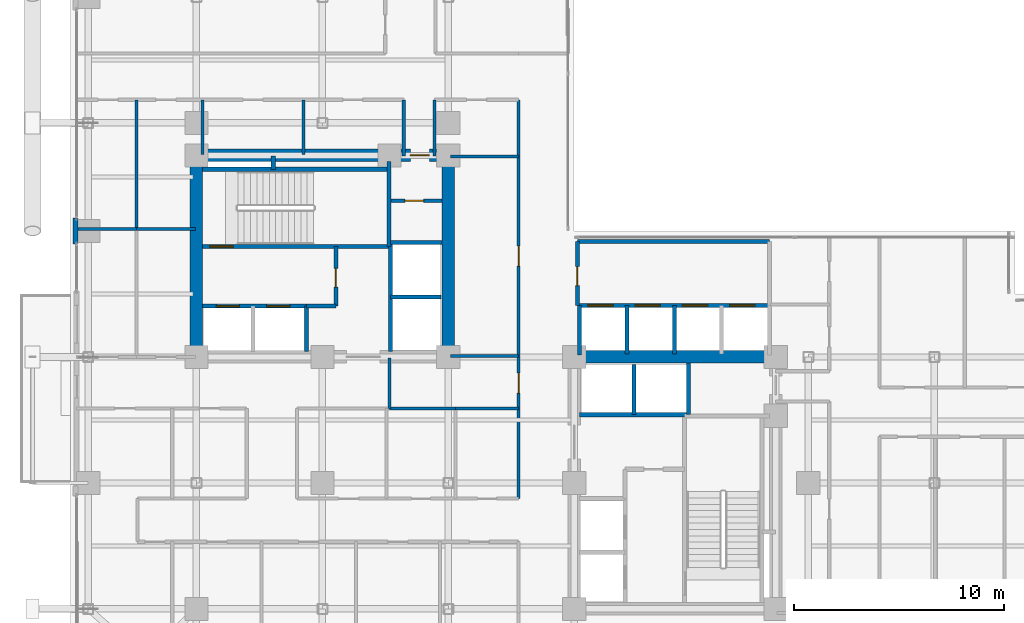
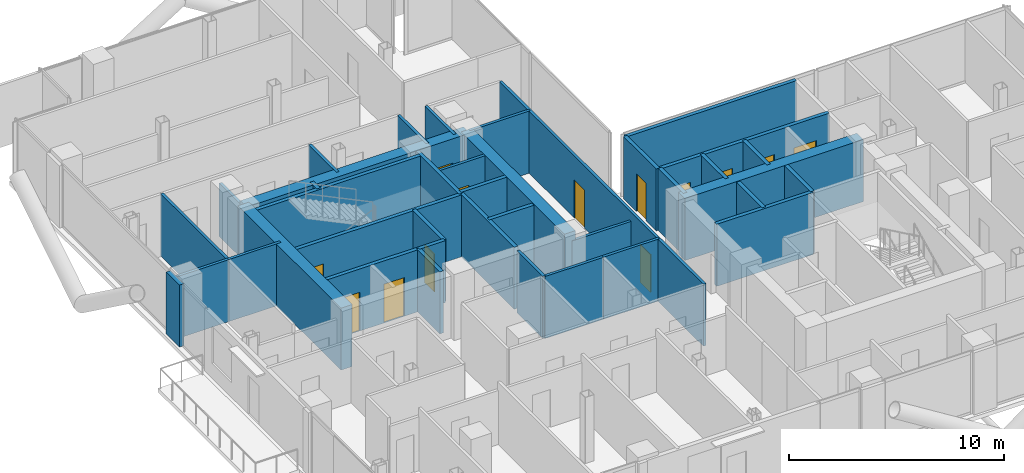
# One storey, part 20 of 24: 39 walls, 13 doors, 13 openings.
"""IFC4 building model written with IfcOpenShell, lengths in metres."""

from ifc_helpers import new_model, si_unit, direction, frame, frame_2d, origin, place, context, subcontext, project, spatial, rectangle, extrude, material, layer, layer_set, type_object, element, fill, save


model = new_model("IFC4")

# Units and contexts
model_context = context("Model", 3, precision=1e-05, world=origin(), true_north=direction((0.0, 1.0)))
body_context = subcontext(model_context, "Body", "Model", "MODEL_VIEW")
ifc_project = project(units=[si_unit("LENGTHUNIT", "METRE"), si_unit("AREAUNIT", "SQUARE_METRE"), si_unit("VOLUMEUNIT", "CUBIC_METRE"), si_unit("PLANEANGLEUNIT", "RADIAN"), si_unit("MASSUNIT", "GRAM", prefix="KILO"), si_unit("THERMODYNAMICTEMPERATUREUNIT", "KELVIN"), si_unit("POWERUNIT", "WATT")], contexts=[model_context])

# Site, building, storey
site_placement = place(None, origin())
site = spatial("IfcSite", under=ifc_project, at=site_placement, CompositionType="ELEMENT")
building_placement = place(site_placement, origin())
building = spatial("IfcBuilding", under=site, at=building_placement, Name="Svarakhadi Broadcast Tower", CompositionType="ELEMENT")
storey_placement = place(building_placement, frame((0.0, 0.0, 156.89990234375)))
storey = spatial("IfcBuildingStorey", under=building, at=storey_placement, Name="L38", CompositionType="ELEMENT", Elevation=156.89990234375)

# Walls
ifc_material_1 = material(Name="Concrete C40/50 (IS 456 M50)", Category="concrete")
ifc_layer_1 = layer(ifc_material_1, 0.239990234375)
ifc_layer_set_1 = layer_set([ifc_layer_1], Name="Concrete C40/50 (IS 456 M50)")
wall_type_1 = type_object("IfcWallType", Name="Wall_Ext_240", PredefinedType="SOLIDWALL", material=ifc_layer_set_1)
wall_1_placement = place(storey_placement, frame((0.239990234375, 23.385009765625, 0.0), z_axis=(0.0, 0.0, 1.0), x_axis=(0.0, 1.0, 0.0)))
element("IfcWall", 1, at=wall_1_placement, inside=storey, type_object=wall_type_1, Name="L38 Perimeter Bronze Spandrel Closure Wall 02", PredefinedType="SOLIDWALL", context=body_context, shape_type="SweptSolid", body=[
    extrude(rectangle(XDim=1.22998046875, YDim=0.239990234375, at=frame_2d((0.614990234375, 0.0))), origin(), (0.0, 0.0, 1.0), 3.525146484375),
])
ifc_layer_2 = layer(ifc_material_1, 0.199951171875)
ifc_layer_set_2 = layer_set([ifc_layer_2], Name="Concrete C40/50 (IS 456 M50)")
wall_type_2 = type_object("IfcWallType", Name="Wall_Fire_200", PredefinedType="SOLIDWALL", material=ifc_layer_set_2)
wall_2_placement = place(storey_placement, frame((9.659912109375, 26.93994140625, 0.0), z_axis=(0.0, 0.0, 1.0), x_axis=(0.0, 1.0, 0.0)))
element("IfcWall", 2, at=wall_2_placement, inside=storey, type_object=wall_type_2, Name="L38 Wet Riser Shaft East Wall", PredefinedType="SOLIDWALL", context=body_context, shape_type="SweptSolid", body=[
    extrude(rectangle(XDim=0.64013671875, YDim=0.199951171875, at=frame_2d((0.320068359375, 0.0))), origin(), (0.0, 0.0, 1.0), 3.525146484375),
])

# Wall, opening, door
ifc_material_2 = material(Name="Autoclaved Aerated Concrete Blockwork 150 mm", Category="masonry")
ifc_layer_3 = layer(ifc_material_2, 0.14990234375)
ifc_layer_set_3 = layer_set([ifc_layer_3], Name="Autoclaved Aerated Concrete Blockwork 150 mm")
wall_type_3 = type_object("IfcWallType", Name="Wall_Part_150", PredefinedType="PARTITIONING", material=ifc_layer_set_3)
wall_3_placement = place(storey_placement, frame((15.280029296875, 25.43994140625, 0.0), z_axis=(0.0, 0.0, 1.0), x_axis=(1.0, 0.0, 0.0)))
wall_3 = element("IfcWall", 3, at=wall_3_placement, inside=storey, type_object=wall_type_3, Name="L38 West Core Service Split Wall", PredefinedType="PARTITIONING", context=body_context, shape_type="SweptSolid", body=[
    extrude(rectangle(XDim=2.419921875, YDim=0.14990234375, at=frame_2d((1.2099609375, 0.0))), origin(), (0.0, 0.0, 1.0), 3.525146484375),
])
opening_1_placement = place(wall_3_placement, frame((0.64990234375, 0.0, 0.0)))
opening_1 = element("IfcOpeningElement", 4, at=opening_1_placement, cuts=wall_3, Name="Opening D-04", PredefinedType="OPENING", context=body_context, shape_type="SweptSolid", body=[
    extrude(rectangle(XDim=0.89990234375, YDim=2.14990234375, at=frame_2d((0.449951171875, 1.074951171875))), frame((0.0, 0.0849609375, 0.0), z_axis=(0.0, -1.0, 0.0), x_axis=(1.0, 0.0, 0.0)), (0.0, 0.0, 1.0), 0.169921875),
])
ifc_material_3 = material(Name="Galvanised Powder-Coated Fire-Rated Steel Leaf", Category="steel")
door_type_1 = type_object("IfcDoorType", Name="Door_Fire_D04", OperationType="SINGLE_SWING_RIGHT", PredefinedType="DOOR", material=ifc_material_3)
door_1_placement = place(opening_1_placement, origin())
door_1 = element("IfcDoor", 5, at=door_1_placement, inside=storey, type_object=door_type_1, Name="L38 West Core Inner Store Door", OperationType="SINGLE_SWING_RIGHT", OverallHeight=2.14990234375, OverallWidth=0.89990234375, PredefinedType="DOOR", context=body_context, shape_type="SweptSolid", body=[
    extrude(rectangle(XDim=0.89990234375, YDim=2.14990234375, at=frame_2d((0.449951171875, 1.074951171875))), frame((0.0, 0.02490234375, 0.0), z_axis=(0.0, -1.0, 0.0), x_axis=(1.0, 0.0, 0.0)), (0.0, 0.0, 1.0), 0.050048828125),
])
fill(opening_1, door_1)

# Wall
wall_4_placement = place(storey_placement, frame((15.199951171875, 17.949951171875, 0.0), z_axis=(0.0, 0.0, 1.0), x_axis=(0.0, -1.0, 0.0)))
element("IfcWall", 6, at=wall_4_placement, inside=storey, type_object=wall_type_3, Name="L38 Zone 2/3 Corridor Wall", PredefinedType="PARTITIONING", context=body_context, shape_type="SweptSolid", body=[
    extrude(rectangle(XDim=2.39990234375, YDim=0.14990234375, at=frame_2d((1.199951171875, 0.0))), origin(), (0.0, 0.0, 1.0), 3.525146484375),
])

# Wall, openings, doors
wall_5_placement = place(storey_placement, frame((21.35009765625, 11.25, 0.0), z_axis=(0.0, 0.0, 1.0), x_axis=(0.0, 1.0, 0.0)))
wall_5 = element("IfcWall", 7, at=wall_5_placement, inside=storey, type_object=wall_type_3, Name="L38 Zone 2/3 Corridor Wall", PredefinedType="PARTITIONING", context=body_context, shape_type="SweptSolid", body=[
    extrude(rectangle(XDim=19.0, YDim=0.14990234375, at=frame_2d((9.5, 0.0))), origin(), (0.0, 0.0, 1.0), 3.525146484375),
])
opening_2_placement = place(wall_5_placement, frame((11.074951171875, 0.0, 0.0)))
opening_2 = element("IfcOpeningElement", 8, at=opening_2_placement, cuts=wall_5, Name="Opening D-06", PredefinedType="OPENING", context=body_context, shape_type="SweptSolid", body=[
    extrude(rectangle(XDim=0.949951171875, YDim=2.14990234375, at=frame_2d((0.47509765625, 1.074951171875))), frame((0.0, 0.0849609375, 0.0), z_axis=(0.0, -1.0, 0.0), x_axis=(1.0, 0.0, 0.0)), (0.0, 0.0, 1.0), 0.169921875),
])
opening_3_placement = place(wall_5_placement, frame((5.02490234375, 0.0, 0.0)))
opening_3 = element("IfcOpeningElement", 9, at=opening_3_placement, cuts=wall_5, Name="Opening D-07", PredefinedType="OPENING", context=body_context, shape_type="SweptSolid", body=[
    extrude(rectangle(XDim=0.949951171875, YDim=2.14990234375, at=frame_2d((0.47509765625, 1.074951171875))), frame((0.0, 0.0849609375, 0.0), z_axis=(0.0, -1.0, 0.0), x_axis=(1.0, 0.0, 0.0)), (0.0, 0.0, 1.0), 0.169921875),
])
ifc_material_4 = material(Name="Solid-Core Teak Veneer Acoustic Timber Leaf", Category="wood")
door_type_2 = type_object("IfcDoorType", Name="Door_Office_D06", OperationType="SINGLE_SWING_LEFT", PredefinedType="DOOR", material=ifc_material_4)
door_2_placement = place(opening_2_placement, origin())
door_2 = element("IfcDoor", 10, at=door_2_placement, inside=storey, type_object=door_type_2, Name="L38 Broadcast Editorial Review Office Door", OperationType="SINGLE_SWING_LEFT", OverallHeight=2.14990234375, OverallWidth=0.949951171875, PredefinedType="DOOR", context=body_context, shape_type="SweptSolid", body=[
    extrude(rectangle(XDim=0.949951171875, YDim=2.14990234375, at=frame_2d((0.47509765625, 1.074951171875))), frame((0.0, 0.02490234375, 0.0), z_axis=(0.0, -1.0, 0.0), x_axis=(1.0, 0.0, 0.0)), (0.0, 0.0, 1.0), 0.050048828125),
])
fill(opening_2, door_2)
door_type_3 = type_object("IfcDoorType", Name="Door_Office_D07", OperationType="SINGLE_SWING_RIGHT", PredefinedType="DOOR", material=ifc_material_4)
door_3_placement = place(opening_3_placement, origin())
door_3 = element("IfcDoor", 11, at=door_3_placement, inside=storey, type_object=door_type_3, Name="L38 Executive Review Pod Door", OperationType="SINGLE_SWING_RIGHT", OverallHeight=2.14990234375, OverallWidth=0.949951171875, PredefinedType="DOOR", context=body_context, shape_type="SweptSolid", body=[
    extrude(rectangle(XDim=0.949951171875, YDim=2.14990234375, at=frame_2d((0.47509765625, 1.074951171875))), frame((0.0, 0.02490234375, 0.0), z_axis=(0.0, -1.0, 0.0), x_axis=(1.0, 0.0, 0.0)), (0.0, 0.0, 1.0), 0.050048828125),
])
fill(opening_3, door_3)

# Walls
for number, where, z_axis, x_axis, name in (
    (12, (17.35009765625, 30.25, 0.0), (0.0, 0.0, 1.0), (0.0, -1.0, 0.0), "L38 Zone 2/3 Corridor Wall"),
    (13, (15.8798828125, 27.580078125, 0.0), (0.0, 0.0, 1.0), (0.0, 1.0, 0.0), "L38 Zone 2/3 Corridor Wall"),
):
    element("IfcWall", number, at=place(storey_placement, frame(where, z_axis=z_axis, x_axis=x_axis)), inside=storey, type_object=wall_type_3, Name=name, PredefinedType="PARTITIONING", context=body_context, shape_type="SweptSolid", body=[
        extrude(rectangle(XDim=2.669921875, YDim=0.14990234375, at=frame_2d((1.3349609375, 0.0))), origin(), (0.0, 0.0, 1.0), 3.525146484375),
    ])
wall_6_placement = place(storey_placement, frame((15.199951171875, 15.550048828125, 0.0), z_axis=(0.0, 0.0, 1.0), x_axis=(1.0, 0.0, 0.0)))
element("IfcWall", 14, at=wall_6_placement, inside=storey, type_object=wall_type_3, Name="L38 Editorial Review Booth Wall", PredefinedType="PARTITIONING", context=body_context, shape_type="SweptSolid", body=[
    extrude(rectangle(XDim=3.150146484375, YDim=0.14990234375, at=frame_2d((1.5751953125, 0.0))), origin(), (0.0, 0.0, 1.0), 3.525146484375),
])
wall_7_placement = place(storey_placement, frame((18.35009765625, 15.550048828125, 0.0), z_axis=(0.0, 0.0, 1.0), x_axis=(1.0, 0.0, 0.0)))
element("IfcWall", 15, at=wall_7_placement, inside=storey, type_object=wall_type_3, Name="L38 Accessible Floor Washroom WC Wall", PredefinedType="PARTITIONING", context=body_context, shape_type="SweptSolid", body=[
    extrude(rectangle(XDim=3.0, YDim=0.14990234375, at=frame_2d((1.5, 0.0))), origin(), (0.0, 0.0, 1.0), 3.525146484375),
])
wall_8_placement = place(storey_placement, frame((18.10009765625, 18.050048828125, 0.0), z_axis=(0.0, 0.0, 1.0), x_axis=(1.0, 0.0, 0.0)))
element("IfcWall", 16, at=wall_8_placement, inside=storey, type_object=wall_type_3, Name="L38 Broadcast Editorial Review Office Wall", PredefinedType="PARTITIONING", context=body_context, shape_type="SweptSolid", body=[
    extrude(rectangle(XDim=3.25, YDim=0.14990234375, at=frame_2d((1.625, 0.0))), origin(), (0.0, 0.0, 1.0), 3.01708984375),
])
wall_9_placement = place(storey_placement, frame((18.10009765625, 27.550048828125, 0.0), z_axis=(0.0, 0.0, 1.0), x_axis=(1.0, 0.0, 0.0)))
element("IfcWall", 17, at=wall_9_placement, inside=storey, type_object=wall_type_3, Name="L38 Broadcast Editorial Review Office Wall", PredefinedType="PARTITIONING", context=body_context, shape_type="SweptSolid", body=[
    extrude(rectangle(XDim=3.25, YDim=0.14990234375, at=frame_2d((1.625, 0.0))), origin(), (0.0, 0.0, 1.0), 3.525146484375),
])
wall_10_placement = place(storey_placement, frame((0.300048828125, 24.10009765625, 0.0), z_axis=(0.0, 0.0, 1.0), x_axis=(1.0, 0.0, 0.0)))
element("IfcWall", 18, at=wall_10_placement, inside=storey, type_object=wall_type_3, Name="L38 Arabian Sea Executive Studio Wall", PredefinedType="PARTITIONING", context=body_context, shape_type="SweptSolid", body=[
    extrude(rectangle(XDim=2.849853515625, YDim=0.14990234375, at=frame_2d((1.4248046875, 0.0))), origin(), (0.0, 0.0, 1.0), 3.525146484375),
])
wall_11_placement = place(storey_placement, frame((3.14990234375, 24.10009765625, 0.0), z_axis=(0.0, 0.0, 1.0), x_axis=(1.0, 0.0, 0.0)))
element("IfcWall", 19, at=wall_11_placement, inside=storey, type_object=wall_type_3, Name="L38 Arabian Sea Executive Studio Wall", PredefinedType="PARTITIONING", context=body_context, shape_type="SweptSolid", body=[
    extrude(rectangle(XDim=2.800048828125, YDim=0.14990234375, at=frame_2d((1.39990234375, 0.0))), origin(), (0.0, 0.0, 1.0), 3.525146484375),
])
wall_12_placement = place(storey_placement, frame((3.14990234375, 24.10009765625, 0.0), z_axis=(0.0, 0.0, 1.0), x_axis=(0.0, 1.0, 0.0)))
element("IfcWall", 20, at=wall_12_placement, inside=storey, type_object=wall_type_3, Name="L38 Sunset Horizon Screening Room Wall", PredefinedType="PARTITIONING", context=body_context, shape_type="SweptSolid", body=[
    extrude(rectangle(XDim=6.14990234375, YDim=0.14990234375, at=frame_2d((3.074951171875, 0.0))), origin(), (0.0, 0.0, 1.0), 3.525146484375),
])
wall_13_placement = place(storey_placement, frame((6.300048828125, 27.64990234375, 0.0), z_axis=(0.0, 0.0, 1.0), x_axis=(0.0, 1.0, 0.0)))
element("IfcWall", 21, at=wall_13_placement, inside=storey, type_object=wall_type_3, Name="L38 Acoustic Dubbing Booth Wall", PredefinedType="PARTITIONING", context=body_context, shape_type="SweptSolid", body=[
    extrude(rectangle(XDim=2.60009765625, YDim=0.14990234375, at=frame_2d((1.300048828125, 0.0))), origin(), (0.0, 0.0, 1.0), 3.01708984375),
])
wall_14_placement = place(storey_placement, frame((11.10009765625, 27.64990234375, 0.0), z_axis=(0.0, 0.0, 1.0), x_axis=(0.0, 1.0, 0.0)))
element("IfcWall", 22, at=wall_14_placement, inside=storey, type_object=wall_type_3, Name="L38 Acoustic Dubbing Booth Wall", PredefinedType="PARTITIONING", context=body_context, shape_type="SweptSolid", body=[
    extrude(rectangle(XDim=2.60009765625, YDim=0.14990234375, at=frame_2d((1.300048828125, 0.0))), origin(), (0.0, 0.0, 1.0), 3.525146484375),
])

# Wall, opening, door
ifc_material_5 = material(Name="Concrete C50/60 (IS 456 M60)", Category="concrete")
ifc_layer_4 = layer(ifc_material_5, 0.199951171875)
ifc_layer_set_4 = layer_set([ifc_layer_4], Name="Concrete C50/60 (IS 456 M60)")
wall_type_4 = type_object("IfcWallType", Name="Wall_Shear_200", PredefinedType="SHEAR", material=ifc_layer_set_4)
wall_15_placement = place(storey_placement, frame((6.300048828125, 23.260009765625, 0.0), z_axis=(0.0, 0.0, 1.0), x_axis=(1.0, 0.0, 0.0)))
wall_15 = element("IfcWall", 23, at=wall_15_placement, inside=storey, type_object=wall_type_4, Name="L38 Stair ST-01 South RC Shaft Wall", PredefinedType="SHEAR", context=body_context, shape_type="SweptSolid", body=[
    extrude(rectangle(XDim=8.8798828125, YDim=0.199951171875, at=frame_2d((4.43994140625, 0.0))), origin(), (0.0, 0.0, 1.0), 3.525146484375),
])
opening_4_placement = place(wall_15_placement, frame((0.35009765625, 0.0, 0.0)))
opening_4 = element("IfcOpeningElement", 24, at=opening_4_placement, cuts=wall_15, Name="Opening D-01", PredefinedType="OPENING", context=body_context, shape_type="SweptSolid", body=[
    extrude(rectangle(XDim=1.10009765625, YDim=2.199951171875, at=frame_2d((0.550048828125, 1.10009765625))), frame((0.0, 0.10986328125, 0.0), z_axis=(0.0, -1.0, 0.0), x_axis=(1.0, 0.0, 0.0)), (0.0, 0.0, 1.0), 0.219970703125),
])
door_type_4 = type_object("IfcDoorType", Name="Door_Stair_D01", OperationType="SINGLE_SWING_LEFT", PredefinedType="DOOR", material=ifc_material_3)
door_4_placement = place(opening_4_placement, origin())
door_4 = element("IfcDoor", 25, at=door_4_placement, inside=storey, type_object=door_type_4, Name="L38 Protected Exit Stair ST-01 Fire Door", OperationType="SINGLE_SWING_LEFT", OverallHeight=2.199951171875, OverallWidth=1.10009765625, PredefinedType="DOOR", context=body_context, shape_type="SweptSolid", body=[
    extrude(rectangle(XDim=1.10009765625, YDim=2.199951171875, at=frame_2d((0.550048828125, 1.10009765625))), frame((0.0, 0.02490234375, 0.0), z_axis=(0.0, -1.0, 0.0), x_axis=(1.0, 0.0, 0.0)), (0.0, 0.0, 1.0), 0.050048828125),
])
fill(opening_4, door_4)

# Walls
wall_16_placement = place(storey_placement, frame((6.300048828125, 26.93994140625, 0.0), z_axis=(0.0, 0.0, 1.0), x_axis=(1.0, 0.0, 0.0)))
element("IfcWall", 26, at=wall_16_placement, inside=storey, type_object=wall_type_4, Name="L38 Stair ST-01 North RC Shaft Wall", PredefinedType="SHEAR", context=body_context, shape_type="SweptSolid", body=[
    extrude(rectangle(XDim=8.8798828125, YDim=0.199951171875, at=frame_2d((4.43994140625, 0.0))), origin(), (0.0, 0.0, 1.0), 3.525146484375),
])
wall_17_placement = place(storey_placement, frame((15.179931640625, 23.260009765625, 0.0), z_axis=(0.0, 0.0, 1.0), x_axis=(0.0, 1.0, 0.0)))
element("IfcWall", 27, at=wall_17_placement, inside=storey, type_object=wall_type_4, Name="L38 Stair ST-01 East RC Shaft Wall", PredefinedType="SHEAR", context=body_context, shape_type="SweptSolid", body=[
    extrude(rectangle(XDim=4.0400390625, YDim=0.199951171875, at=frame_2d((2.02001953125, 0.0))), origin(), (0.0, 0.0, 1.0), 3.525146484375),
])

# Wall, openings, doors
wall_18_placement = place(storey_placement, frame((6.300048828125, 20.419921875, 0.0), z_axis=(0.0, 0.0, 1.0), x_axis=(1.0, 0.0, 0.0)))
wall_18 = element("IfcWall", 28, at=wall_18_placement, inside=storey, type_object=wall_type_4, Name="L38 Firefighting Lift LF-01/02 Shaft Wall", PredefinedType="SHEAR", context=body_context, shape_type="SweptSolid", body=[
    extrude(rectangle(XDim=4.949951171875, YDim=0.199951171875, at=frame_2d((2.47509765625, 0.0))), origin(), (0.0, 0.0, 1.0), 3.525146484375),
])
opening_5_placement = place(wall_18_placement, frame((0.64990234375, 0.0, 0.0)))
opening_5 = element("IfcOpeningElement", 29, at=opening_5_placement, cuts=wall_18, Name="Opening LD-01", PredefinedType="OPENING", context=body_context, shape_type="SweptSolid", body=[
    extrude(rectangle(XDim=1.10009765625, YDim=2.199951171875, at=frame_2d((0.550048828125, 1.10009765625))), frame((0.0, 0.10986328125, 0.0), z_axis=(0.0, -1.0, 0.0), x_axis=(1.0, 0.0, 0.0)), (0.0, 0.0, 1.0), 0.219970703125),
])
opening_6_placement = place(wall_18_placement, frame((3.050048828125, 0.0, 0.0)))
opening_6 = element("IfcOpeningElement", 30, at=opening_6_placement, cuts=wall_18, Name="Opening LD-01", PredefinedType="OPENING", context=body_context, shape_type="SweptSolid", body=[
    extrude(rectangle(XDim=1.10009765625, YDim=2.199951171875, at=frame_2d((0.550048828125, 1.10009765625))), frame((0.0, 0.10986328125, 0.0), z_axis=(0.0, -1.0, 0.0), x_axis=(1.0, 0.0, 0.0)), (0.0, 0.0, 1.0), 0.219970703125),
])
door_type_5 = type_object("IfcDoorType", Name="Door_Lift_LD01", OperationType="SLIDING_TO_LEFT", PredefinedType="DOOR", material=ifc_material_3)
door_5_placement = place(opening_5_placement, origin())
door_5 = element("IfcDoor", 31, at=door_5_placement, inside=storey, type_object=door_type_5, Name="L38 Firefighting Lift LF-01 Landing Door", OperationType="SLIDING_TO_LEFT", OverallHeight=2.199951171875, OverallWidth=1.10009765625, PredefinedType="DOOR", context=body_context, shape_type="SweptSolid", body=[
    extrude(rectangle(XDim=1.10009765625, YDim=2.199951171875, at=frame_2d((0.550048828125, 1.10009765625))), frame((0.0, 0.02490234375, 0.0), z_axis=(0.0, -1.0, 0.0), x_axis=(1.0, 0.0, 0.0)), (0.0, 0.0, 1.0), 0.050048828125),
])
fill(opening_5, door_5)
door_6_placement = place(opening_6_placement, origin())
door_6 = element("IfcDoor", 32, at=door_6_placement, inside=storey, type_object=door_type_5, Name="L38 Firefighting Lift LF-02 Landing Door", OperationType="SLIDING_TO_LEFT", OverallHeight=2.199951171875, OverallWidth=1.10009765625, PredefinedType="DOOR", context=body_context, shape_type="SweptSolid", body=[
    extrude(rectangle(XDim=1.10009765625, YDim=2.199951171875, at=frame_2d((0.550048828125, 1.10009765625))), frame((0.0, 0.02490234375, 0.0), z_axis=(0.0, -1.0, 0.0), x_axis=(1.0, 0.0, 0.0)), (0.0, 0.0, 1.0), 0.050048828125),
])
fill(opening_6, door_6)

# Walls
wall_19_placement = place(storey_placement, frame((11.25, 18.25, 0.0), z_axis=(0.0, 0.0, 1.0), x_axis=(0.0, 1.0, 0.0)))
element("IfcWall", 33, at=wall_19_placement, inside=storey, type_object=wall_type_4, Name="L38 Firefighting Lift LF-02 East Wall", PredefinedType="SHEAR", context=body_context, shape_type="SweptSolid", body=[
    extrude(rectangle(XDim=2.169921875, YDim=0.199951171875, at=frame_2d((1.0849609375, 0.0))), origin(), (0.0, 0.0, 1.0), 3.525146484375),
])
wall_20_placement = place(storey_placement, frame((11.25, 20.419921875, 0.0), z_axis=(0.0, 0.0, 1.0), x_axis=(1.0, 0.0, 0.0)))
element("IfcWall", 34, at=wall_20_placement, inside=storey, type_object=wall_type_4, Name="L38 West Firefighting Lobby South Wall", PredefinedType="SHEAR", context=body_context, shape_type="SweptSolid", body=[
    extrude(rectangle(XDim=1.39990234375, YDim=0.199951171875, at=frame_2d((0.699951171875, 0.0))), origin(), (0.0, 0.0, 1.0), 3.525146484375),
])

# Wall, opening, door
wall_21_placement = place(storey_placement, frame((12.64990234375, 20.419921875, 0.0), z_axis=(0.0, 0.0, 1.0), x_axis=(0.0, 1.0, 0.0)))
wall_21 = element("IfcWall", 35, at=wall_21_placement, inside=storey, type_object=wall_type_4, Name="L38 West Firefighting Lobby East Wall", PredefinedType="SHEAR", context=body_context, shape_type="SweptSolid", body=[
    extrude(rectangle(XDim=2.840087890625, YDim=0.199951171875, at=frame_2d((1.419921875, 0.0))), origin(), (0.0, 0.0, 1.0), 3.525146484375),
])
opening_7_placement = place(wall_21_placement, frame((0.89990234375, 0.0, 0.0)))
opening_7 = element("IfcOpeningElement", 36, at=opening_7_placement, cuts=wall_21, Name="Opening D-04", PredefinedType="OPENING", context=body_context, shape_type="SweptSolid", body=[
    extrude(rectangle(XDim=0.89990234375, YDim=2.14990234375, at=frame_2d((0.449951171875, 1.074951171875))), frame((0.0, 0.10986328125, 0.0), z_axis=(0.0, -1.0, 0.0), x_axis=(1.0, 0.0, 0.0)), (0.0, 0.0, 1.0), 0.219970703125),
])
door_7_placement = place(opening_7_placement, origin())
door_7 = element("IfcDoor", 37, at=door_7_placement, inside=storey, type_object=door_type_1, Name="L38 West Firefighting Lobby Fire Door", OperationType="SINGLE_SWING_RIGHT", OverallHeight=2.14990234375, OverallWidth=0.89990234375, PredefinedType="DOOR", context=body_context, shape_type="SweptSolid", body=[
    extrude(rectangle(XDim=0.89990234375, YDim=2.14990234375, at=frame_2d((0.449951171875, 1.074951171875))), frame((0.0, 0.02490234375, 0.0), z_axis=(0.0, -1.0, 0.0), x_axis=(1.0, 0.0, 0.0)), (0.0, 0.0, 1.0), 0.050048828125),
])
fill(opening_7, door_7)

# Walls
wall_22_placement = place(storey_placement, frame((15.25, 18.25, 0.0), z_axis=(0.0, 0.0, 1.0), x_axis=(0.0, 1.0, 0.0)))
element("IfcWall", 38, at=wall_22_placement, inside=storey, type_object=wall_type_4, Name="L38 High-Rise Lift LF-13/14 West Shaft Wall", PredefinedType="SHEAR", context=body_context, shape_type="SweptSolid", body=[
    extrude(rectangle(XDim=5.199951171875, YDim=0.199951171875, at=frame_2d((2.60009765625, 0.0))), origin(), (0.0, 0.0, 1.0), 3.525146484375),
])
wall_23_placement = place(storey_placement, frame((15.25, 20.85009765625, 0.0), z_axis=(0.0, 0.0, 1.0), x_axis=(1.0, 0.0, 0.0)))
element("IfcWall", 39, at=wall_23_placement, inside=storey, type_object=wall_type_4, Name="L38 High-Rise Lift LF-13/14 Divider", PredefinedType="SHEAR", context=body_context, shape_type="SweptSolid", body=[
    extrude(rectangle(XDim=2.39990234375, YDim=0.199951171875, at=frame_2d((1.199951171875, 0.0))), origin(), (0.0, 0.0, 1.0), 3.525146484375),
])
wall_24_placement = place(storey_placement, frame((15.25, 23.449951171875, 0.0), z_axis=(0.0, 0.0, 1.0), x_axis=(1.0, 0.0, 0.0)))
element("IfcWall", 40, at=wall_24_placement, inside=storey, type_object=wall_type_4, Name="L38 High-Rise Lift LF-13/14 North Wall", PredefinedType="SHEAR", context=body_context, shape_type="SweptSolid", body=[
    extrude(rectangle(XDim=2.449951171875, YDim=0.199951171875, at=frame_2d((1.22509765625, 0.0))), origin(), (0.0, 0.0, 1.0), 3.525146484375),
])
wall_25_placement = place(storey_placement, frame((24.25, 15.25, 0.0), z_axis=(0.0, 0.0, 1.0), x_axis=(1.0, 0.0, 0.0)))
element("IfcWall", 41, at=wall_25_placement, inside=storey, type_object=wall_type_4, Name="L38 High-Rise Lift LF-15/16 South Shaft Wall", PredefinedType="SHEAR", context=body_context, shape_type="SweptSolid", body=[
    extrude(rectangle(XDim=5.199951171875, YDim=0.199951171875, at=frame_2d((2.60009765625, 0.0))), origin(), (0.0, 0.0, 1.0), 3.525146484375),
])
wall_26_placement = place(storey_placement, frame((26.85009765625, 15.25, 0.0), z_axis=(0.0, 0.0, 1.0), x_axis=(0.0, 1.0, 0.0)))
element("IfcWall", 42, at=wall_26_placement, inside=storey, type_object=wall_type_4, Name="L38 High-Rise Lift LF-15/16 Divider", PredefinedType="SHEAR", context=body_context, shape_type="SweptSolid", body=[
    extrude(rectangle(XDim=2.39990234375, YDim=0.199951171875, at=frame_2d((1.199951171875, 0.0))), origin(), (0.0, 0.0, 1.0), 3.525146484375),
])
wall_27_placement = place(storey_placement, frame((29.449951171875, 15.25, 0.0), z_axis=(0.0, 0.0, 1.0), x_axis=(0.0, 1.0, 0.0)))
element("IfcWall", 43, at=wall_27_placement, inside=storey, type_object=wall_type_4, Name="L38 High-Rise Lift LF-15/16 East Wall", PredefinedType="SHEAR", context=body_context, shape_type="SweptSolid", body=[
    extrude(rectangle(XDim=2.449951171875, YDim=0.199951171875, at=frame_2d((1.22509765625, 0.0))), origin(), (0.0, 0.0, 1.0), 3.525146484375),
])
wall_28_placement = place(storey_placement, frame((24.25, 18.10009765625, 0.0), z_axis=(0.0, 0.0, 1.0), x_axis=(0.0, 1.0, 0.0)))
element("IfcWall", 44, at=wall_28_placement, inside=storey, type_object=wall_type_4, Name="L38 Bank B West Shaft Wall", PredefinedType="SHEAR", context=body_context, shape_type="SweptSolid", body=[
    extrude(rectangle(XDim=2.349853515625, YDim=0.199951171875, at=frame_2d((1.1748046875, 0.0))), origin(), (0.0, 0.0, 1.0), 3.525146484375),
])

# Wall, openings, doors
wall_29_placement = place(storey_placement, frame((24.25, 20.449951171875, 0.0), z_axis=(0.0, 0.0, 1.0), x_axis=(1.0, 0.0, 0.0)))
wall_29 = element("IfcWall", 45, at=wall_29_placement, inside=storey, type_object=wall_type_4, Name="L38 Bank B North Landing Wall", PredefinedType="SHEAR", context=body_context, shape_type="SweptSolid", body=[
    extrude(rectangle(XDim=9.050048828125, YDim=0.199951171875, at=frame_2d((4.52490234375, 0.0))), origin(), (0.0, 0.0, 1.0), 3.525146484375),
])
opening_8_placement = place(wall_29_placement, frame((0.39990234375, 0.0, 0.0)))
opening_8 = element("IfcOpeningElement", 46, at=opening_8_placement, cuts=wall_29, Name="Opening LD-02", PredefinedType="OPENING", context=body_context, shape_type="SweptSolid", body=[
    extrude(rectangle(XDim=1.199951171875, YDim=2.199951171875, at=frame_2d((0.60009765625, 1.10009765625))), frame((0.0, 0.10986328125, 0.0), z_axis=(0.0, -1.0, 0.0), x_axis=(1.0, 0.0, 0.0)), (0.0, 0.0, 1.0), 0.219970703125),
])
opening_9_placement = place(wall_29_placement, frame((2.64990234375, 0.0, 0.0)))
opening_9 = element("IfcOpeningElement", 47, at=opening_9_placement, cuts=wall_29, Name="Opening LD-02", PredefinedType="OPENING", context=body_context, shape_type="SweptSolid", body=[
    extrude(rectangle(XDim=1.199951171875, YDim=2.199951171875, at=frame_2d((0.60009765625, 1.10009765625))), frame((0.0, 0.10986328125, 0.0), z_axis=(0.0, -1.0, 0.0), x_axis=(1.0, 0.0, 0.0)), (0.0, 0.0, 1.0), 0.219970703125),
])
opening_10_placement = place(wall_29_placement, frame((4.89990234375, 0.0, 0.0)))
opening_10 = element("IfcOpeningElement", 48, at=opening_10_placement, cuts=wall_29, Name="Opening LD-02", PredefinedType="OPENING", context=body_context, shape_type="SweptSolid", body=[
    extrude(rectangle(XDim=1.199951171875, YDim=2.199951171875, at=frame_2d((0.60009765625, 1.10009765625))), frame((0.0, 0.10986328125, 0.0), z_axis=(0.0, -1.0, 0.0), x_axis=(1.0, 0.0, 0.0)), (0.0, 0.0, 1.0), 0.219970703125),
])
opening_11_placement = place(wall_29_placement, frame((7.14990234375, 0.0, 0.0)))
opening_11 = element("IfcOpeningElement", 49, at=opening_11_placement, cuts=wall_29, Name="Opening LD-02", PredefinedType="OPENING", context=body_context, shape_type="SweptSolid", body=[
    extrude(rectangle(XDim=1.199951171875, YDim=2.199951171875, at=frame_2d((0.60009765625, 1.10009765625))), frame((0.0, 0.10986328125, 0.0), z_axis=(0.0, -1.0, 0.0), x_axis=(1.0, 0.0, 0.0)), (0.0, 0.0, 1.0), 0.219970703125),
])
door_type_6 = type_object("IfcDoorType", Name="Door_Lift_LD02", OperationType="SLIDING_TO_RIGHT", PredefinedType="DOOR", material=ifc_material_3)
door_8_placement = place(opening_8_placement, origin())
door_8 = element("IfcDoor", 50, at=door_8_placement, inside=storey, type_object=door_type_6, Name="L38 Mid-Rise Lift LF-09 Landing Door", OperationType="SLIDING_TO_RIGHT", OverallHeight=2.199951171875, OverallWidth=1.199951171875, PredefinedType="DOOR", context=body_context, shape_type="SweptSolid", body=[
    extrude(rectangle(XDim=1.199951171875, YDim=2.199951171875, at=frame_2d((0.60009765625, 1.10009765625))), frame((0.0, 0.02490234375, 0.0), z_axis=(0.0, -1.0, 0.0), x_axis=(1.0, 0.0, 0.0)), (0.0, 0.0, 1.0), 0.050048828125),
])
fill(opening_8, door_8)
door_9_placement = place(opening_9_placement, origin())
door_9 = element("IfcDoor", 51, at=door_9_placement, inside=storey, type_object=door_type_6, Name="L38 Mid-Rise Lift LF-10 Landing Door", OperationType="SLIDING_TO_RIGHT", OverallHeight=2.199951171875, OverallWidth=1.199951171875, PredefinedType="DOOR", context=body_context, shape_type="SweptSolid", body=[
    extrude(rectangle(XDim=1.199951171875, YDim=2.199951171875, at=frame_2d((0.60009765625, 1.10009765625))), frame((0.0, 0.02490234375, 0.0), z_axis=(0.0, -1.0, 0.0), x_axis=(1.0, 0.0, 0.0)), (0.0, 0.0, 1.0), 0.050048828125),
])
fill(opening_9, door_9)
door_10_placement = place(opening_10_placement, origin())
door_10 = element("IfcDoor", 52, at=door_10_placement, inside=storey, type_object=door_type_6, Name="L38 Mid-Rise Lift LF-11 Landing Door", OperationType="SLIDING_TO_RIGHT", OverallHeight=2.199951171875, OverallWidth=1.199951171875, PredefinedType="DOOR", context=body_context, shape_type="SweptSolid", body=[
    extrude(rectangle(XDim=1.199951171875, YDim=2.199951171875, at=frame_2d((0.60009765625, 1.10009765625))), frame((0.0, 0.02490234375, 0.0), z_axis=(0.0, -1.0, 0.0), x_axis=(1.0, 0.0, 0.0)), (0.0, 0.0, 1.0), 0.050048828125),
])
fill(opening_10, door_10)
door_11_placement = place(opening_11_placement, origin())
door_11 = element("IfcDoor", 53, at=door_11_placement, inside=storey, type_object=door_type_6, Name="L38 Mid-Rise Lift LF-12 Landing Door", OperationType="SLIDING_TO_RIGHT", OverallHeight=2.199951171875, OverallWidth=1.199951171875, PredefinedType="DOOR", context=body_context, shape_type="SweptSolid", body=[
    extrude(rectangle(XDim=1.199951171875, YDim=2.199951171875, at=frame_2d((0.60009765625, 1.10009765625))), frame((0.0, 0.02490234375, 0.0), z_axis=(0.0, -1.0, 0.0), x_axis=(1.0, 0.0, 0.0)), (0.0, 0.0, 1.0), 0.050048828125),
])
fill(opening_11, door_11)

# Walls
for number, where, z_axis, x_axis, name in (
    (54, (26.52001953125, 18.14990234375, 0.0), (0.0, 0.0, 1.0), (0.0, 1.0, 0.0), "L38 Bank B Divider"),
    (55, (28.77001953125, 18.14990234375, 0.0), (0.0, 0.0, 1.0), (0.0, 1.0, 0.0), "L38 Bank B Divider"),
):
    element("IfcWall", number, at=place(storey_placement, frame(where, z_axis=z_axis, x_axis=x_axis)), inside=storey, type_object=wall_type_4, Name=name, PredefinedType="SHEAR", context=body_context, shape_type="SweptSolid", body=[
        extrude(rectangle(XDim=2.300048828125, YDim=0.199951171875, at=frame_2d((1.14990234375, 0.0))), origin(), (0.0, 0.0, 1.0), 3.525146484375),
    ])
wall_30_placement = place(storey_placement, frame((24.14990234375, 23.5, 0.0), z_axis=(0.0, 0.0, 1.0), x_axis=(1.0, 0.0, 0.0)))
element("IfcWall", 56, at=wall_30_placement, inside=storey, type_object=wall_type_4, Name="L38 Bank B Lift Hall North Wall", PredefinedType="SHEAR", context=body_context, shape_type="SweptSolid", body=[
    extrude(rectangle(XDim=9.150146484375, YDim=0.199951171875, at=frame_2d((4.5751953125, 0.0))), origin(), (0.0, 0.0, 1.0), 3.525146484375),
])

# Wall, opening, door
wall_31_placement = place(storey_placement, frame((24.14990234375, 20.449951171875, 0.0), z_axis=(0.0, 0.0, 1.0), x_axis=(0.0, 1.0, 0.0)))
wall_31 = element("IfcWall", 57, at=wall_31_placement, inside=storey, type_object=wall_type_4, Name="L38 Bank B Lift Hall West Wall", PredefinedType="SHEAR", context=body_context, shape_type="SweptSolid", body=[
    extrude(rectangle(XDim=3.050048828125, YDim=0.199951171875, at=frame_2d((1.52490234375, 0.0))), origin(), (0.0, 0.0, 1.0), 3.525146484375),
])
opening_12_placement = place(wall_31_placement, frame((0.949951171875, 0.0, 0.0)))
opening_12 = element("IfcOpeningElement", 58, at=opening_12_placement, cuts=wall_31, Name="Opening D-03", PredefinedType="OPENING", context=body_context, shape_type="SweptSolid", body=[
    extrude(rectangle(XDim=0.89990234375, YDim=2.14990234375, at=frame_2d((0.449951171875, 1.074951171875))), frame((0.0, 0.10986328125, 0.0), z_axis=(0.0, -1.0, 0.0), x_axis=(1.0, 0.0, 0.0)), (0.0, 0.0, 1.0), 0.219970703125),
])
door_type_7 = type_object("IfcDoorType", Name="Door_Fire_D03", OperationType="SINGLE_SWING_LEFT", PredefinedType="DOOR", material=ifc_material_3)
door_12_placement = place(opening_12_placement, origin())
door_12 = element("IfcDoor", 59, at=door_12_placement, inside=storey, type_object=door_type_7, Name="L38 Mid-Rise Lift Hall West Corridor Door", OperationType="SINGLE_SWING_LEFT", OverallHeight=2.14990234375, OverallWidth=0.89990234375, PredefinedType="DOOR", context=body_context, shape_type="SweptSolid", body=[
    extrude(rectangle(XDim=0.89990234375, YDim=2.14990234375, at=frame_2d((0.449951171875, 1.074951171875))), frame((0.0, 0.02490234375, 0.0), z_axis=(0.0, -1.0, 0.0), x_axis=(1.0, 0.0, 0.0)), (0.0, 0.0, 1.0), 0.050048828125),
])
fill(opening_12, door_12)

ifc_material_6 = material(Name="Concrete C60/75 (IS 456 M70)", Category="concrete")
ifc_layer_5 = layer(ifc_material_6, 0.60009765625)
ifc_layer_set_5 = layer_set([ifc_layer_5], Name="Concrete C60/75 (IS 456 M70)")
wall_type_5 = type_object("IfcWallType", Name="Wall_Shear_600", PredefinedType="SHEAR", material=ifc_layer_set_5)
wall_32_placement = place(storey_placement, frame((6.0, 27.60009765625, 0.0), z_axis=(0.0, 0.0, 1.0), x_axis=(1.0, 0.0, 0.0)))
wall_32 = element("IfcWall", 60, at=wall_32_placement, inside=storey, type_object=wall_type_5, Name="L38 West Core North Shear Wall", PredefinedType="SHEAR", context=body_context, shape_type="SweptSolid", body=[
    extrude(rectangle(XDim=12.0, YDim=0.60009765625, at=frame_2d((6.0, 0.0))), origin(), (0.0, 0.0, 1.0), 3.525146484375),
])
opening_13_placement = place(wall_32_placement, frame((10.199951171875, 0.0, 0.0)))
opening_13 = element("IfcOpeningElement", 61, at=opening_13_placement, cuts=wall_32, Name="Opening D-03", PredefinedType="OPENING", context=body_context, shape_type="SweptSolid", body=[
    extrude(rectangle(XDim=0.89990234375, YDim=2.14990234375, at=frame_2d((0.449951171875, 1.074951171875))), frame((0.0, 0.31005859375, 0.0), z_axis=(0.0, -1.0, 0.0), x_axis=(1.0, 0.0, 0.0)), (0.0, 0.0, 1.0), 0.6201171875),
])
door_13_placement = place(opening_13_placement, origin())
door_13 = element("IfcDoor", 62, at=door_13_placement, inside=storey, type_object=door_type_7, Name="L38 West Core Outer Store Door", OperationType="SINGLE_SWING_LEFT", OverallHeight=2.14990234375, OverallWidth=0.89990234375, PredefinedType="DOOR", context=body_context, shape_type="SweptSolid", body=[
    extrude(rectangle(XDim=0.89990234375, YDim=2.14990234375, at=frame_2d((0.449951171875, 1.074951171875))), frame((0.0, 0.02490234375, 0.0), z_axis=(0.0, -1.0, 0.0), x_axis=(1.0, 0.0, 0.0)), (0.0, 0.0, 1.0), 0.050048828125),
])
fill(opening_13, door_13)

# Walls
for number, where, z_axis, x_axis, name in (
    (63, (6.0, 18.0, 0.0), (0.0, 0.0, 1.0), (0.0, 1.0, 0.0), "L38 West Core West Shear Wall"),
    (64, (18.0, 18.0, 0.0), (0.0, 0.0, 1.0), (0.0, 1.0, 0.0), "L38 West Core East Shear Wall"),
    (65, (24.0, 18.0, 0.0), (0.0, 0.0, 1.0), (1.0, 0.0, 0.0), "L38 East Core North Shear Wall"),
):
    element("IfcWall", number, at=place(storey_placement, frame(where, z_axis=z_axis, x_axis=x_axis)), inside=storey, type_object=wall_type_5, Name=name, PredefinedType="SHEAR", context=body_context, shape_type="SweptSolid", body=[
        extrude(rectangle(XDim=9.60009765625, YDim=0.60009765625, at=frame_2d((4.800048828125, 0.0))), origin(), (0.0, 0.0, 1.0), 3.525146484375),
    ])

save(model, "model.ifc")
